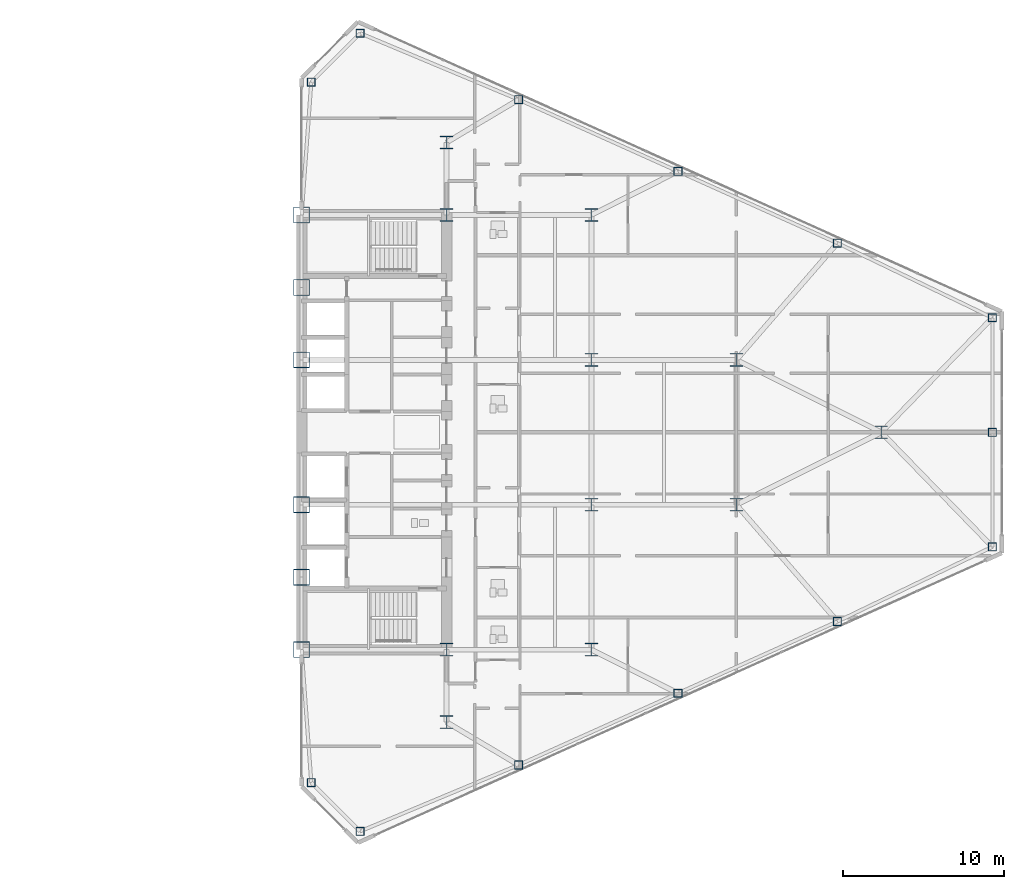
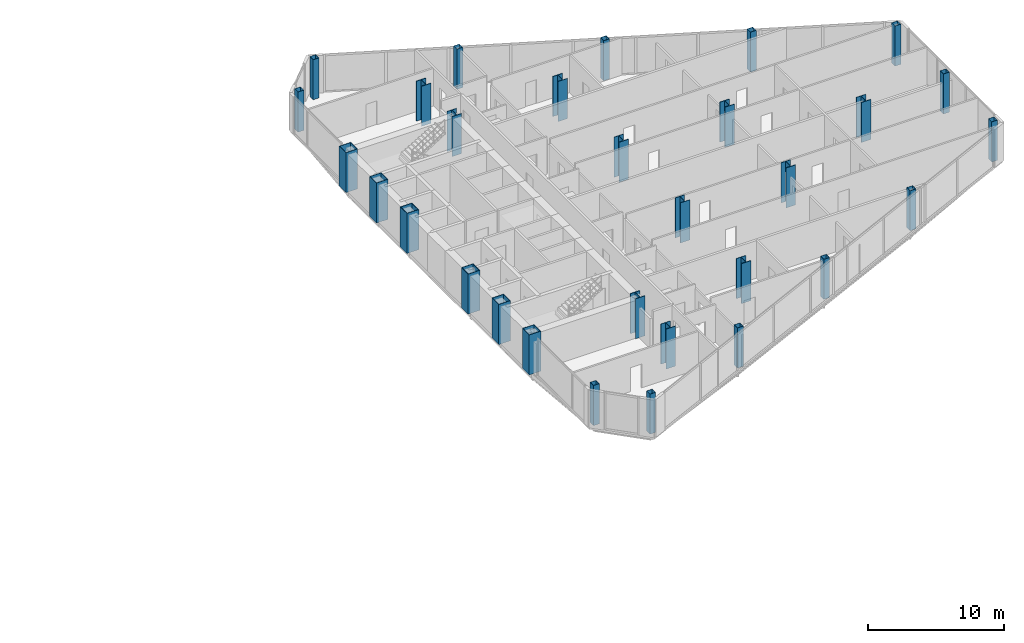
# One storey, part 2 of 27: 30 columns.
"""IFC4 building model written with IfcOpenShell, lengths in metres."""

from ifc_helpers import new_model, si_unit, direction, frame, origin, origin_2d, place, context, subcontext, project, spatial, hollow_rectangle, i_section, extrude, source, transform, mapped, material, material_profile, profile_set, type_object, type_shapes, element, save


model = new_model("IFC4")

# Units and contexts
model_context = context("Model", 3, precision=1e-05, world=origin(), true_north=direction((0.0, 1.0)))
body_context = subcontext(model_context, "Body", "Model", "MODEL_VIEW")
ifc_project = project(units=[si_unit("LENGTHUNIT", "METRE"), si_unit("AREAUNIT", "SQUARE_METRE"), si_unit("VOLUMEUNIT", "CUBIC_METRE"), si_unit("PLANEANGLEUNIT", "RADIAN"), si_unit("MASSUNIT", "GRAM", prefix="KILO")], contexts=[model_context])

# Site, building, storey
site_placement = place(None, origin())
site = spatial("IfcSite", under=ifc_project, at=site_placement, CompositionType="ELEMENT")
building_placement = place(site_placement, origin())
building = spatial("IfcBuilding", under=site, at=building_placement, Name="Seokmaru Belvedere", CompositionType="ELEMENT")
storey_placement = place(building_placement, frame((0.0, 0.0, 80.10009765625)))
storey = spatial("IfcBuildingStorey", under=building, at=storey_placement, Name="L21", CompositionType="ELEMENT", Elevation=80.10009765625)

# Columns
ifc_material_1 = material(Name="Steel SM355 (355 MPa)", Category="steel")
ifc_material_profile_1 = material_profile(ifc_material_1, hollow_rectangle(XDim=0.5, YDim=0.5, WallThickness=0.02001953125, at=origin_2d()), Name="HSS-500x500x20")
ifc_profile_set_1 = profile_set([ifc_material_profile_1], Name="Steel SM355 (355 MPa)")
column_type_1 = type_object("IfcColumnType", Name="Perimeter Facet Column HSS-500", PredefinedType="COLUMN", material=ifc_profile_set_1)
shared_shape_1 = source(origin(), body_context, "Body", "SweptSolid", [
    extrude(hollow_rectangle(XDim=0.5, YDim=0.5, WallThickness=0.02001953125, at=origin_2d()), origin(), (0.0, 0.0, 1.0), 3.599853515625),
])
type_shapes(column_type_1, [shared_shape_1])
for number, where, z_axis, x_axis, name in (
    (1, (31.13134765625, -24.782958984375, 0.0), (0.0, 0.0, 1.0), (1.0, 0.0, 0.0), "L21 Column EF1"),
    (2, (70.39990234375, -7.112060546875, 0.0), (0.0, 0.0, 1.0), (1.0, 0.0, 0.0), "L21 Column EF2"),
    (3, (70.39990234375, 7.112060546875, 0.0), (0.0, 0.0, 1.0), (1.0, 0.0, 0.0), "L21 Column EF3"),
    (4, (31.13134765625, 24.782958984375, 0.0), (0.0, 0.0, 1.0), (1.0, 0.0, 0.0), "L21 Column EF4"),
    (5, (28.10009765625, 21.75146484375, 0.0), (0.0, 0.0, 1.0), (1.0, 0.0, 0.0), "L21 Column EF5"),
    (6, (28.10009765625, -21.75146484375, 0.0), (0.0, 0.0, 1.0), (1.0, 0.0, 0.0), "L21 Column EF6"),
    (7, (40.97265625, -20.661376953125, 0.0), (0.0, 0.0, 1.0), (1.0, 0.0, 0.0), "L21 Column EFLK_S1"),
    (8, (50.875, -16.205322265625, 0.0), (0.0, 0.0, 1.0), (1.0, 0.0, 0.0), "L21 Column EFLK_S2"),
    (9, (60.777587890625, -11.749267578125, 0.0), (0.0, 0.0, 1.0), (1.0, 0.0, 0.0), "L21 Column EFLK_S3"),
    (10, (40.97265625, 20.661376953125, 0.0), (0.0, 0.0, 1.0), (1.0, 0.0, 0.0), "L21 Column EFLK_N1"),
    (11, (50.875, 16.205322265625, 0.0), (0.0, 0.0, 1.0), (1.0, 0.0, 0.0), "L21 Column EFLK_N2"),
    (12, (60.777587890625, 11.749267578125, 0.0), (0.0, 0.0, 1.0), (1.0, 0.0, 0.0), "L21 Column EFLK_N3"),
    (13, (70.39990234375, 0.0, 0.0), (0.0, 0.0, 1.0), (1.0, 0.0, 0.0), "L21 Column EF_APXM"),
):
    element("IfcColumn", number, at=place(storey_placement, frame(where, z_axis=z_axis, x_axis=x_axis)), inside=storey, type_object=column_type_1, Name=name, PredefinedType="COLUMN", context=body_context, shape_type="MappedRepresentation", body=[
        mapped(shared_shape_1, transform((0.0, 0.0, 0.0), scale=1.0)),
    ])
ifc_material_2 = material(Name="Steel HSA650 (650 MPa)", Category="steel")
ifc_material_profile_2 = material_profile(ifc_material_2, hollow_rectangle(XDim=1.0, YDim=1.0, WallThickness=0.0419921875, at=origin_2d()), Name="BOX-1000x1000x42")
ifc_profile_set_2 = profile_set([ifc_material_profile_2], Name="Steel HSA650 (650 MPa)")
column_type_2 = type_object("IfcColumnType", Name="Portal Spine Column BOX-1000", PredefinedType="COLUMN", material=ifc_profile_set_2)
shared_shape_2 = source(origin(), body_context, "Body", "SweptSolid", [
    extrude(hollow_rectangle(XDim=1.0, YDim=1.0, WallThickness=0.0419921875, at=origin_2d()), origin(), (0.0, 0.0, 1.0), 3.599853515625),
])
type_shapes(column_type_2, [shared_shape_2])
for number, where, z_axis, x_axis, name in (
    (14, (27.5, -13.5, 0.0), (0.0, 0.0, 1.0), (1.0, 0.0, 0.0), "L21 Column ES1"),
    (15, (27.5, -9.0, 0.0), (0.0, 0.0, 1.0), (1.0, 0.0, 0.0), "L21 Column ES2"),
    (16, (27.5, -4.5, 0.0), (0.0, 0.0, 1.0), (1.0, 0.0, 0.0), "L21 Column ES3"),
    (17, (27.5, 4.5, 0.0), (0.0, 0.0, 1.0), (1.0, 0.0, 0.0), "L21 Column ES4"),
    (18, (27.5, 9.0, 0.0), (0.0, 0.0, 1.0), (1.0, 0.0, 0.0), "L21 Column ES5"),
    (19, (27.5, 13.5, 0.0), (0.0, 0.0, 1.0), (1.0, 0.0, 0.0), "L21 Column ES6"),
):
    element("IfcColumn", number, at=place(storey_placement, frame(where, z_axis=z_axis, x_axis=x_axis)), inside=storey, type_object=column_type_2, Name=name, PredefinedType="COLUMN", context=body_context, shape_type="MappedRepresentation", body=[
        mapped(shared_shape_2, transform((0.0, 0.0, 0.0), scale=1.0)),
    ])
ifc_material_profile_3 = material_profile(ifc_material_1, i_section(OverallWidth=0.800048828125, OverallDepth=0.800048828125, WebThickness=0.031982421875, FlangeThickness=0.050048828125, at=origin_2d()), Name="H-800x800x32x50")
ifc_profile_set_3 = profile_set([ifc_material_profile_3], Name="Steel SM355 (355 MPa)")
column_type_3 = type_object("IfcColumnType", Name="Lower-Mid Interior Column H-800", PredefinedType="COLUMN", material=ifc_profile_set_3)
shared_shape_3 = source(origin(), body_context, "Body", "SweptSolid", [
    extrude(i_section(OverallWidth=0.800048828125, OverallDepth=0.800048828125, WebThickness=0.031982421875, FlangeThickness=0.050048828125, at=origin_2d()), origin(), (0.0, 0.0, 1.0), 3.599853515625),
])
type_shapes(column_type_3, [shared_shape_3])
for number, where, z_axis, x_axis, name in (
    (20, (36.5, -18.0, 0.0), (0.0, 0.0, 1.0), (1.0, 0.0, 0.0), "L21 Column EC1"),
    (21, (36.5, -13.5, 0.0), (0.0, 0.0, 1.0), (1.0, 0.0, 0.0), "L21 Column EC2"),
    (22, (36.5, 13.5, 0.0), (0.0, 0.0, 1.0), (1.0, 0.0, 0.0), "L21 Column EC3"),
    (23, (36.5, 18.0, 0.0), (0.0, 0.0, 1.0), (1.0, 0.0, 0.0), "L21 Column EC4"),
    (24, (45.5, -13.5, 0.0), (0.0, 0.0, 1.0), (1.0, 0.0, 0.0), "L21 Column EG5_1"),
    (25, (45.5, -4.5, 0.0), (0.0, 0.0, 1.0), (1.0, 0.0, 0.0), "L21 Column EG5_2"),
    (26, (45.5, 4.5, 0.0), (0.0, 0.0, 1.0), (1.0, 0.0, 0.0), "L21 Column EG5_3"),
    (27, (45.5, 13.5, 0.0), (0.0, 0.0, 1.0), (1.0, 0.0, 0.0), "L21 Column EG5_4"),
    (28, (54.5, -4.5, 0.0), (0.0, 0.0, 1.0), (1.0, 0.0, 0.0), "L21 Column EG4P_1"),
    (29, (54.5, 4.5, 0.0), (0.0, 0.0, 1.0), (1.0, 0.0, 0.0), "L21 Column EG4P_2"),
    (30, (63.5, 0.0, 0.0), (0.0, 0.0, 1.0), (1.0, 0.0, 0.0), "L21 Column EG3P_1"),
):
    element("IfcColumn", number, at=place(storey_placement, frame(where, z_axis=z_axis, x_axis=x_axis)), inside=storey, type_object=column_type_3, Name=name, PredefinedType="COLUMN", context=body_context, shape_type="MappedRepresentation", body=[
        mapped(shared_shape_3, transform((0.0, 0.0, 0.0), scale=1.0)),
    ])

save(model, "model.ifc")
